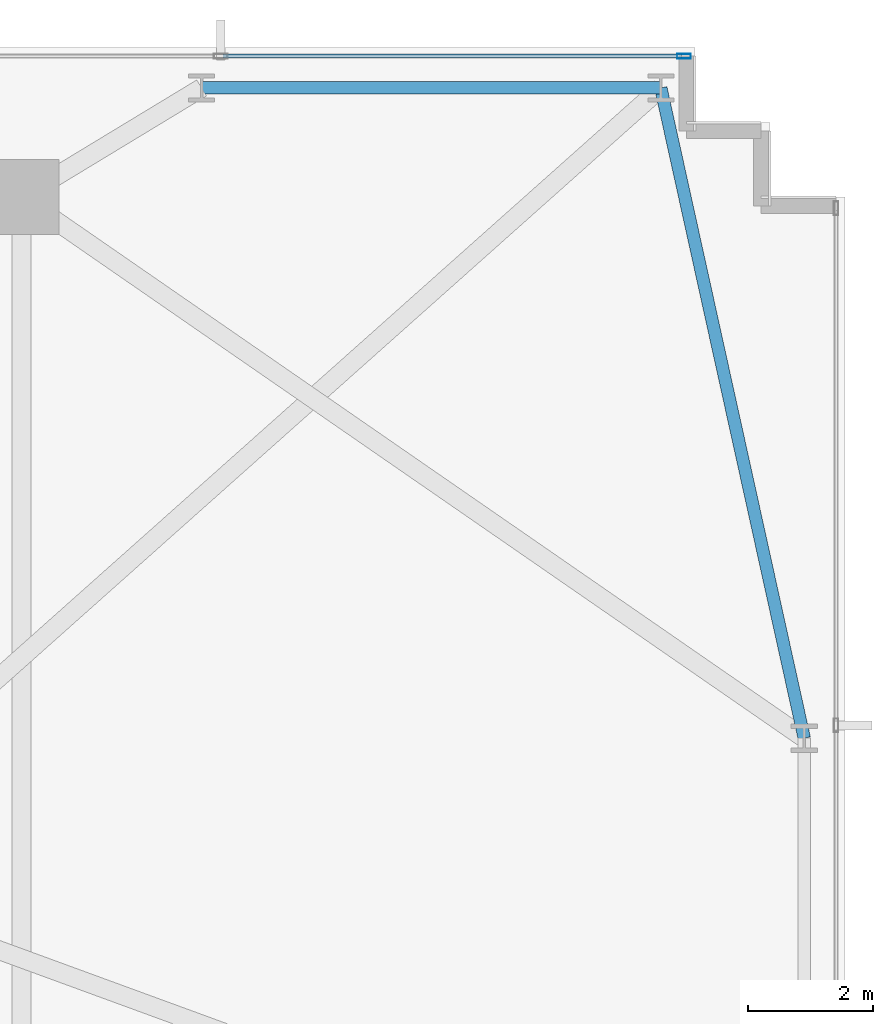
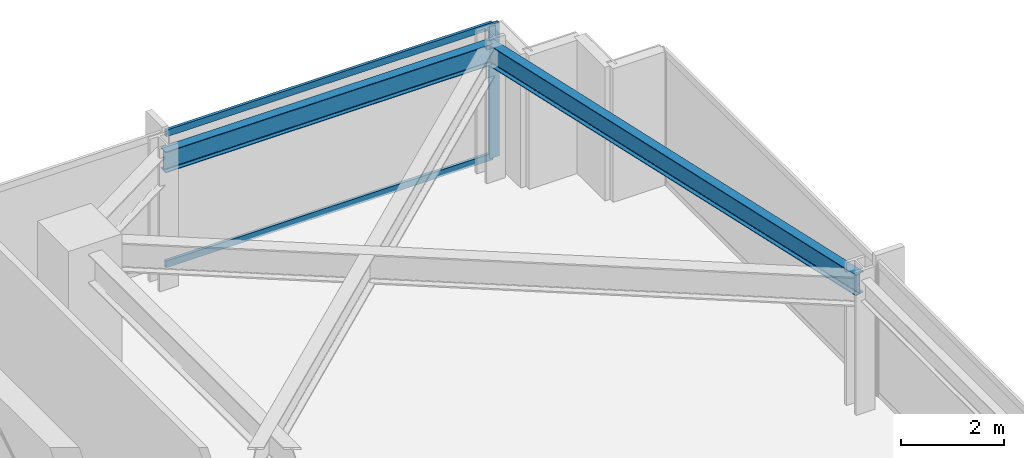
# One storey, part 21 of 32: 3 members, 2 beams, 1 element without a shape of its own.
"""IFC4 building model written with IfcOpenShell, lengths in metres."""

from ifc_helpers import new_model, si_unit, direction, frame, origin, origin_2d, place, context, subcontext, project, spatial, hollow_rectangle, i_section, extrude, material, material_profile, profile_set, type_object, element, aggregate, save


model = new_model("IFC4")

# Units and contexts
model_context = context("Model", 3, precision=1e-05, world=origin(), true_north=direction((0.0, 1.0)))
body_context = subcontext(model_context, "Body", "Model", "MODEL_VIEW")
ifc_project = project(units=[si_unit("LENGTHUNIT", "METRE"), si_unit("AREAUNIT", "SQUARE_METRE"), si_unit("VOLUMEUNIT", "CUBIC_METRE"), si_unit("PLANEANGLEUNIT", "RADIAN"), si_unit("MASSUNIT", "GRAM", prefix="KILO")], contexts=[model_context])

# Site, building, storey
site_placement = place(None, origin())
site = spatial("IfcSite", under=ifc_project, at=site_placement, CompositionType="ELEMENT")
building_placement = place(site_placement, origin())
building = spatial("IfcBuilding", under=site, at=building_placement, Name="Yelkora Congress Tower", CompositionType="ELEMENT")
storey_placement = place(building_placement, frame((0.0, 0.0, 40.60009765625)))
storey = spatial("IfcBuildingStorey", under=building, at=storey_placement, Name="L09", CompositionType="ELEMENT", Elevation=40.60009765625)

# Beams
ifc_material_1 = material(Name="Steel S355J2", Category="steel")
ifc_material_profile_1 = material_profile(ifc_material_1, i_section(OverallWidth=0.199951171875, OverallDepth=0.5, WebThickness=0.01025390625, FlangeThickness=0.01611328125, FilletRadius=0.02099609375, at=origin_2d()), Name="IPE 500")
ifc_profile_set_1 = profile_set([ifc_material_profile_1], Name="Steel S355J2")
beam_type = type_object("IfcBeamType", Name="BM-SPAN-IPE500", PredefinedType="SPANDREL", material=ifc_profile_set_1)
beam_1_placement = place(storey_placement, frame((70.14990234375, 37.52490234375, 2.929931640625), z_axis=(-0.215424087425, 0.97652058993, 0.0), x_axis=(-0.97652058993, -0.215424087425, 0.0)))
element("IfcBeam", 1, at=beam_1_placement, inside=storey, type_object=beam_type, Name="L09 Perimeter Beam 13", PredefinedType="SPANDREL", context=body_context, shape_type="SweptSolid", body=[
    extrude(i_section(OverallWidth=0.199951171875, OverallDepth=0.5, WebThickness=0.01025390625, FlangeThickness=0.01611328125, FilletRadius=0.02099609375, at=origin_2d()), origin(), (0.0, 0.0, 1.0), 10.67578125),
])
beam_2_placement = place(storey_placement, frame((67.85009765625, 47.949951171875, 2.929931640625), z_axis=(-1.0, 0.0, 0.0), x_axis=(0.0, -1.0, 0.0)))
element("IfcBeam", 2, at=beam_2_placement, inside=storey, type_object=beam_type, Name="L09 Perimeter Beam 14", PredefinedType="SPANDREL", context=body_context, shape_type="SweptSolid", body=[
    extrude(i_section(OverallWidth=0.199951171875, OverallDepth=0.5, WebThickness=0.01025390625, FlangeThickness=0.01611328125, FilletRadius=0.02099609375, at=origin_2d()), origin(), (0.0, 0.0, 1.0), 7.362548828125),
])

# Curtain wall, members
ifc_material_2 = material(Name="Anodised aluminium and insulated glass", Category="aluminium")
curtain_wall_type = type_object("IfcCurtainWallType", Name="CW-SYS-B1", PredefinedType="NOTDEFINED", material=ifc_material_2)
curtain_wall_placement = place(storey_placement, origin())
curtain_wall = element("IfcCurtainWall", 3, at=curtain_wall_placement, inside=storey, type_object=curtain_wall_type, Name="L09 Unitised Curtain Wall 10", PredefinedType="NOTDEFINED")
ifc_material_3 = material(Name="Anodised aluminium 6063-T6", Category="aluminium")
ifc_material_profile_2 = material_profile(ifc_material_3, hollow_rectangle(XDim=0.074951171875, YDim=0.219970703125, WallThickness=0.0048828125, at=origin_2d()), Name="ALU 75x220x5")
ifc_profile_set_2 = profile_set([ifc_material_profile_2], Name="Anodised aluminium 6063-T6")
member_type_1 = type_object("IfcMemberType", Name="MEM-ML-B1", PredefinedType="MULLION", material=ifc_profile_set_2)
member_1_placement = place(storey_placement, frame((68.222412109375, 48.4599609375, 0.0), z_axis=(0.0, 0.0, 1.0), x_axis=(0.0, 1.0, 0.0)))
member_1 = element("IfcMember", 4, at=member_1_placement, type_object=member_type_1, Name="CW-B1 mullion 9", PredefinedType="MULLION", context=body_context, shape_type="SweptSolid", body=[
    extrude(hollow_rectangle(XDim=0.074951171875, YDim=0.219970703125, WallThickness=0.0048828125, at=origin_2d()), origin(), (0.0, 0.0, 1.0), 3.179931640625),
])
ifc_material_profile_3 = material_profile(ifc_material_3, hollow_rectangle(XDim=0.06494140625, YDim=0.159912109375, WallThickness=0.00390625, at=origin_2d()), Name="ALU 65x160x4")
ifc_profile_set_3 = profile_set([ifc_material_profile_3], Name="Anodised aluminium 6063-T6")
member_type_2 = type_object("IfcMemberType", Name="MEM-TR-B1", PredefinedType="USERDEFINED", material=ifc_profile_set_3)
member_2_placement = place(storey_placement, frame((60.83251953125, 48.4599609375, 0.032470703125), z_axis=(1.0, 0.0, 0.0), x_axis=(0.0, 1.0, 0.0)))
member_2 = element("IfcMember", 5, at=member_2_placement, type_object=member_type_2, Name="CW-B1 transom 8.1", ObjectType="TRANSOM", PredefinedType="USERDEFINED", context=body_context, shape_type="SweptSolid", body=[
    extrude(hollow_rectangle(XDim=0.06494140625, YDim=0.159912109375, WallThickness=0.00390625, at=origin_2d()), origin(), (0.0, 0.0, 1.0), 7.3525390625),
])
member_3_placement = place(storey_placement, frame((60.83251953125, 48.4599609375, 3.1474609375), z_axis=(1.0, 0.0, 0.0), x_axis=(0.0, 1.0, 0.0)))
member_3 = element("IfcMember", 6, at=member_3_placement, type_object=member_type_2, Name="CW-B1 transom 8.2", ObjectType="TRANSOM", PredefinedType="USERDEFINED", context=body_context, shape_type="SweptSolid", body=[
    extrude(hollow_rectangle(XDim=0.06494140625, YDim=0.159912109375, WallThickness=0.00390625, at=origin_2d()), origin(), (0.0, 0.0, 1.0), 7.3525390625),
])
aggregate(curtain_wall, [member_1, member_2, member_3])

save(model, "model.ifc")
